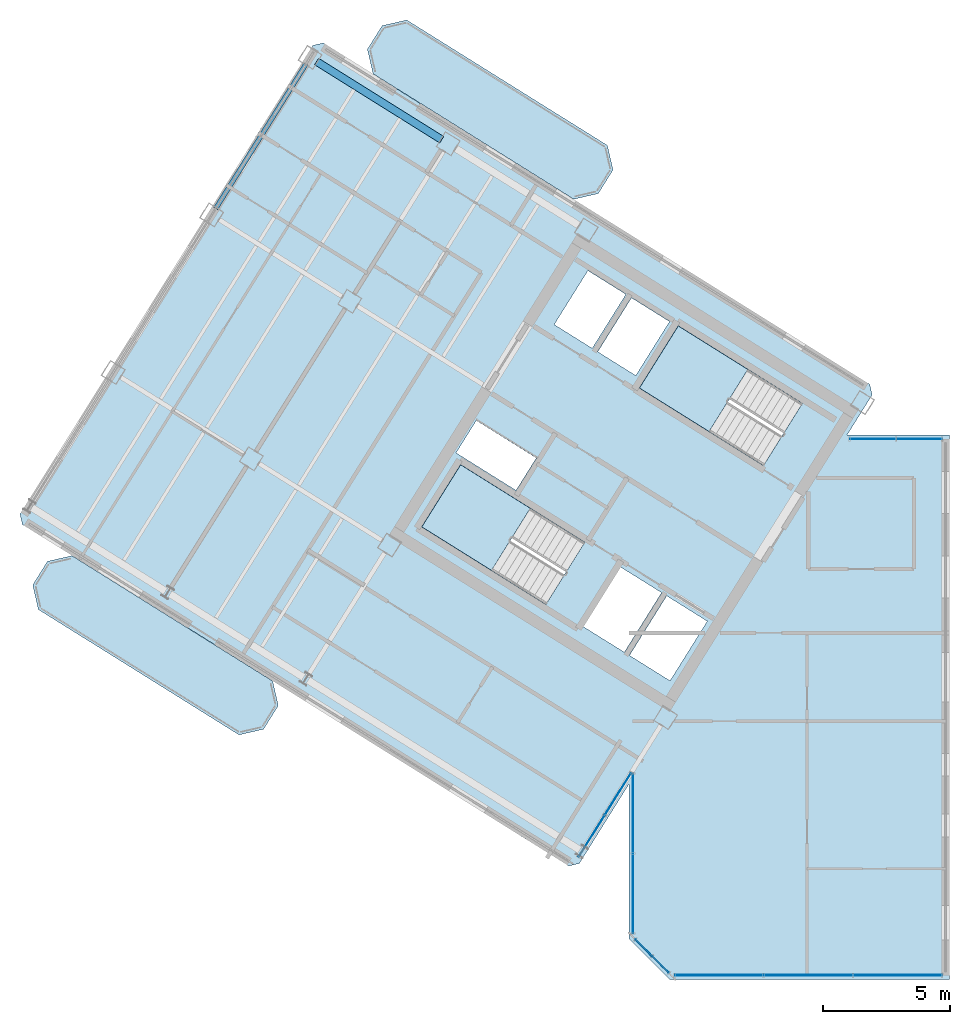
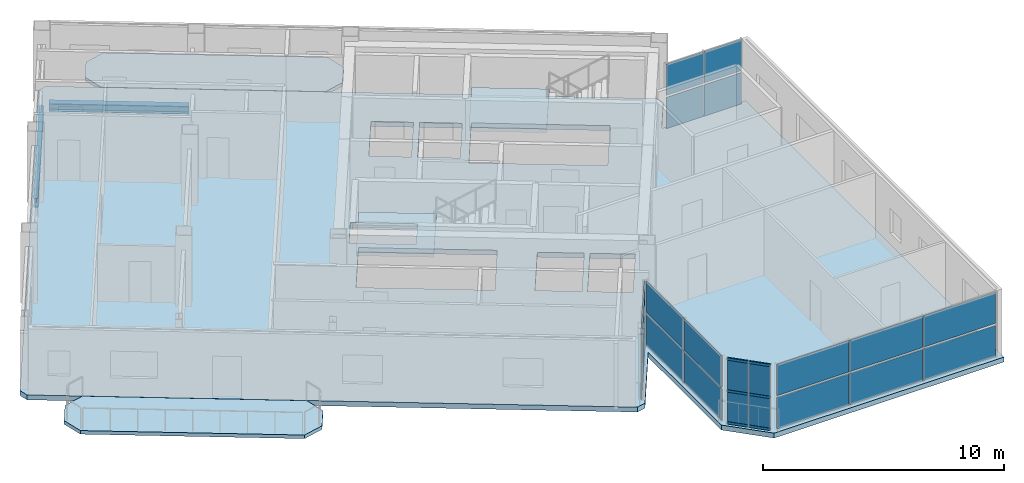
# One storey, part 6 of 14: 22 plates, 6 members, 5 slabs, 2 beams, 7 elements without a shape of their own.
"""IFC4 building model written with IfcOpenShell, lengths in metres."""

from ifc_helpers import new_model, si_unit, direction, frame, origin, origin_2d, place, context, subcontext, project, spatial, polyline, rectangle, hollow_rectangle, i_section, outline, extrude, source, transform, mapped, material, layer, layer_set, material_profile, profile_set, type_object, element, aggregate, save


model = new_model("IFC4")

# Units and contexts
model_context = context("Model", 3, precision=1e-05, world=origin(), true_north=direction((0.0, 1.0)))
body_context = subcontext(model_context, "Body", "Model", "MODEL_VIEW")
ifc_project = project(units=[si_unit("LENGTHUNIT", "METRE"), si_unit("AREAUNIT", "SQUARE_METRE"), si_unit("VOLUMEUNIT", "CUBIC_METRE"), si_unit("PLANEANGLEUNIT", "RADIAN"), si_unit("MASSUNIT", "GRAM", prefix="KILO")], contexts=[model_context])

# Site, building, storey
site_placement = place(None, origin())
site = spatial("IfcSite", under=ifc_project, at=site_placement, CompositionType="ELEMENT")
building_placement = place(site_placement, origin())
building = spatial("IfcBuilding", under=site, at=building_placement, Name="Tlacorven Tower", CompositionType="ELEMENT")
storey_placement = place(building_placement, frame((0.0, 0.0, 284.39990234375)))
storey = spatial("IfcBuildingStorey", under=building, at=storey_placement, Name="L72", CompositionType="ELEMENT", Elevation=284.39990234375)

# Beams
ifc_material_1 = material(Name="Steel S355J2", Category="steel")
ifc_material_profile_1 = material_profile(ifc_material_1, i_section(OverallWidth=0.300048828125, OverallDepth=0.389892578125, WebThickness=0.010986328125, FlangeThickness=0.01904296875, at=origin_2d()), Name="HEA 400")
ifc_profile_set_1 = profile_set([ifc_material_profile_1], Name="Steel S355J2")
beam_type_1 = type_object("IfcBeamType", Name="BM-SPN-400", PredefinedType="SPANDREL", material=ifc_profile_set_1)
shared_shape_1 = source(origin(), body_context, "Body", "SweptSolid", [
    extrude(i_section(OverallWidth=0.300048828125, OverallDepth=0.389892578125, WebThickness=0.010986328125, FlangeThickness=0.01904296875, at=origin_2d()), origin(), (0.0, 0.0, 1.0), 5.800048828125),
])
beam_1_placement = place(storey_placement, frame((24.24609375, 34.8017578125, -0.44482421875), z_axis=(-0.848052689693, 0.529911912967, 0.0), x_axis=(-0.529911912967, -0.848052689693, 0.0)))
element("IfcBeam", 1, at=beam_1_placement, inside=storey, type_object=beam_type_1, Name="L72 beam BM-L72-WL1-4", PredefinedType="SPANDREL", context=body_context, shape_type="MappedRepresentation", body=[
    mapped(shared_shape_1, transform((0.0, 0.0, 0.0), scale=1.0)),
])
ifc_material_profile_2 = material_profile(ifc_material_1, i_section(OverallWidth=0.18994140625, OverallDepth=0.449951171875, WebThickness=0.009521484375, FlangeThickness=0.0146484375, at=origin_2d()), Name="IPE 450")
ifc_profile_set_2 = profile_set([ifc_material_profile_2], Name="Steel S355J2")
beam_type_2 = type_object("IfcBeamType", Name="BM-TWR-450", PredefinedType="BEAM", material=ifc_profile_set_2)
shared_shape_2 = source(origin(), body_context, "Body", "SweptSolid", [
    extrude(i_section(OverallWidth=0.18994140625, OverallDepth=0.449951171875, WebThickness=0.009521484375, FlangeThickness=0.0146484375, at=origin_2d()), origin(), (0.0, 0.0, 1.0), 6.7001953125),
])
beam_2_placement = place(storey_placement, frame((18.9140625, 37.780029296875, -0.474853515625), z_axis=(-0.52991377951, -0.848051523367, 0.0), x_axis=(0.848051523367, -0.52991377951, 0.0)))
element("IfcBeam", 2, at=beam_2_placement, inside=storey, type_object=beam_type_2, Name="L72 beam BM-L72-WT5-1", PredefinedType="BEAM", context=body_context, shape_type="MappedRepresentation", body=[
    mapped(shared_shape_2, transform((0.0, 0.0, 0.0), scale=1.0)),
])

# Curtain wall, members
ifc_material_2 = material(Name="Dark solar low-E double glazing in aluminium frame", Category="aluminium")
curtain_wall_type = type_object("IfcCurtainWallType", Name="CW-TWR-HIGH", PredefinedType="USERDEFINED", material=ifc_material_2)
curtain_wall_1_placement = place(storey_placement, origin())
curtain_wall_1 = element("IfcCurtainWall", 3, at=curtain_wall_1_placement, inside=storey, type_object=curtain_wall_type, Name="L72 CW-TWR-HIGH Curtain Wall 335", ObjectType="UNITISED CURTAIN WALL", PredefinedType="USERDEFINED")
ifc_material_3 = material(Name="Aluminium 6063-T6 anodised", Category="aluminium")
ifc_material_profile_3 = material_profile(ifc_material_3, hollow_rectangle(XDim=0.054931640625, YDim=0.1201171875, WallThickness=0.00341796875, at=origin_2d()), Name="ALU TRANSOM 55X120")
ifc_profile_set_3 = profile_set([ifc_material_profile_3], Name="Aluminium 6063-T6 anodised")
member_type = type_object("IfcMemberType", Name="CWT-03", PredefinedType="USERDEFINED", material=ifc_profile_set_3)
shared_shape_3 = source(origin(), body_context, "Body", "SweptSolid", [
    extrude(hollow_rectangle(XDim=0.054931640625, YDim=0.1201171875, WallThickness=0.00341796875, at=origin_2d()), origin(), (0.0, 0.0, 1.0), 0.899169921875),
])
member_1_placement = place(storey_placement, frame((33.16162109375, 2.064697265625, 0.06005859375), z_axis=(-0.707106781187, 0.707106781187, 0.0), x_axis=(-0.707106781187, -0.707106781187, 0.0)))
member_1 = element("IfcMember", 4, at=member_1_placement, type_object=member_type, Name="CW-L72-335 Transom 1", ObjectType="TRANSOM", PredefinedType="USERDEFINED", context=body_context, shape_type="MappedRepresentation", body=[
    mapped(shared_shape_3, transform((0.0, 0.0, 0.0), scale=1.0)),
])
member_2_placement = place(storey_placement, frame((33.16162109375, 2.064697265625, 1.675048828125), z_axis=(-0.707106781187, 0.707106781187, 0.0), x_axis=(-0.707106781187, -0.707106781187, 0.0)))
member_2 = element("IfcMember", 5, at=member_2_placement, type_object=member_type, Name="CW-L72-335 Transom 2", ObjectType="TRANSOM", PredefinedType="USERDEFINED", context=body_context, shape_type="MappedRepresentation", body=[
    mapped(shared_shape_3, transform((0.0, 0.0, 0.0), scale=1.0)),
])
member_3_placement = place(storey_placement, frame((33.16162109375, 2.064697265625, 3.2900390625), z_axis=(-0.707106781187, 0.707106781187, 0.0), x_axis=(-0.707106781187, -0.707106781187, 0.0)))
member_3 = element("IfcMember", 6, at=member_3_placement, type_object=member_type, Name="CW-L72-335 Transom 3", ObjectType="TRANSOM", PredefinedType="USERDEFINED", context=body_context, shape_type="MappedRepresentation", body=[
    mapped(shared_shape_3, transform((0.0, 0.0, 0.0), scale=1.0)),
])
member_4_placement = place(storey_placement, frame((32.50048828125, 2.725830078125, 0.06005859375), z_axis=(-0.707106781187, 0.707106781187, 0.0), x_axis=(-0.707106781187, -0.707106781187, 0.0)))
member_4 = element("IfcMember", 7, at=member_4_placement, type_object=member_type, Name="CW-L72-335 Transom 4", ObjectType="TRANSOM", PredefinedType="USERDEFINED", context=body_context, shape_type="MappedRepresentation", body=[
    mapped(shared_shape_3, transform((0.0, 0.0, 0.0), scale=1.0)),
])
member_5_placement = place(storey_placement, frame((32.50048828125, 2.725830078125, 1.675048828125), z_axis=(-0.707106781187, 0.707106781187, 0.0), x_axis=(-0.707106781187, -0.707106781187, 0.0)))
member_5 = element("IfcMember", 8, at=member_5_placement, type_object=member_type, Name="CW-L72-335 Transom 5", ObjectType="TRANSOM", PredefinedType="USERDEFINED", context=body_context, shape_type="MappedRepresentation", body=[
    mapped(shared_shape_3, transform((0.0, 0.0, 0.0), scale=1.0)),
])
member_6_placement = place(storey_placement, frame((32.50048828125, 2.725830078125, 3.2900390625), z_axis=(-0.707106781187, 0.707106781187, 0.0), x_axis=(-0.707106781187, -0.707106781187, 0.0)))
member_6 = element("IfcMember", 9, at=member_6_placement, type_object=member_type, Name="CW-L72-335 Transom 6", ObjectType="TRANSOM", PredefinedType="USERDEFINED", context=body_context, shape_type="MappedRepresentation", body=[
    mapped(shared_shape_3, transform((0.0, 0.0, 0.0), scale=1.0)),
])

# Slabs
ifc_material_4 = material(Name="Precast concrete C45/55", Category="concrete")
ifc_layer_1 = layer(ifc_material_4, 0.179931640625)
ifc_layer_set_1 = layer_set([ifc_layer_1], Name="Precast concrete C45/55")
slab_type_1 = type_object("IfcSlabType", Name="SL-BAL-180", PredefinedType="USERDEFINED", material=ifc_layer_set_1)
slab_1_placement = place(storey_placement, frame((0.0, 0.0, -0.179931640625)))
element("IfcSlab", 10, at=slab_1_placement, inside=storey, type_object=slab_type_1, Name="L72 West Wing Balcony Ribbon OUT", ObjectType="BALCONY SLAB", PredefinedType="USERDEFINED", context=body_context, shape_type="SweptSolid", body=[
    extrude(outline(polyline([(17.601318359375, 13.52490234375), (9.71435546875, 18.453125), (8.749755859375, 18.23046875), (8.169677734375, 17.3017578125), (8.392333984375, 16.33740234375), (16.279052734375, 11.408935546875), (17.24365234375, 11.6318359375), (17.823974609375, 12.560302734375), (17.601318359375, 13.52490234375)])), origin(), (0.0, 0.0, 1.0), 0.179931640625),
])
slab_2_placement = place(storey_placement, frame((0.0, 0.0, -0.179931640625)))
element("IfcSlab", 11, at=slab_2_placement, inside=storey, type_object=slab_type_1, Name="L72 West Wing Balcony Ribbon IN", ObjectType="BALCONY SLAB", PredefinedType="USERDEFINED", context=body_context, shape_type="SweptSolid", body=[
    extrude(outline(polyline([(30.756591796875, 34.57763671875), (22.86962890625, 39.505859375), (21.905029296875, 39.283203125), (21.324951171875, 38.354736328125), (21.547607421875, 37.39013671875), (29.434326171875, 32.4619140625), (30.39892578125, 32.6845703125), (30.979248046875, 33.613037109375), (30.756591796875, 34.57763671875)])), origin(), (0.0, 0.0, 1.0), 0.179931640625),
])

# Stair, slab
ifc_material_5 = material(Name="Concrete C40/50", Category="concrete")
stair_type = type_object("IfcStairType", Name="ST-CORE-DLG", PredefinedType="HALF_TURN_STAIR", material=ifc_material_5)
stair_1_placement = place(storey_placement, origin())
stair_1 = element("IfcStair", 12, at=stair_1_placement, inside=storey, type_object=stair_type, Name="L72 Protected Exit Stair West 1", PredefinedType="HALF_TURN_STAIR")
ifc_layer_2 = layer(ifc_material_5, 0.199951171875)
ifc_layer_set_2 = layer_set([ifc_layer_2], Name="Concrete C40/50")
slab_type_2 = type_object("IfcSlabType", Name="SL-LND-200", PredefinedType="LANDING", material=ifc_layer_set_2)
slab_3_placement = place(storey_placement, frame((0.0, 0.0, 1.60009765625)))
slab_3 = element("IfcSlab", 13, at=slab_3_placement, type_object=slab_type_2, Name="ST-W1 landing 1", PredefinedType="LANDING", context=body_context, shape_type="SweptSolid", body=[
    extrude(outline(polyline([(27.728515625, 20.315185546875), (24.9892578125, 22.02685546875), (23.463134765625, 19.58447265625), (26.2021484375, 17.872802734375), (27.728515625, 20.315185546875)])), origin(), (0.0, 0.0, 1.0), 0.199951171875),
])
aggregate(stair_1, [slab_3])

stair_2_placement = place(storey_placement, origin())
stair_2 = element("IfcStair", 14, at=stair_2_placement, inside=storey, type_object=stair_type, Name="L72 Protected Exit Stair West 2", PredefinedType="HALF_TURN_STAIR")
slab_4_placement = place(storey_placement, frame((0.0, 0.0, 1.60009765625)))
slab_4 = element("IfcSlab", 15, at=slab_4_placement, type_object=slab_type_2, Name="ST-W2 landing 1", PredefinedType="LANDING", context=body_context, shape_type="SweptSolid", body=[
    extrude(outline(polyline([(36.280029296875, 25.772705078125), (33.540771484375, 27.484375), (32.0146484375, 25.0419921875), (34.75390625, 23.33056640625), (36.280029296875, 25.772705078125)])), origin(), (0.0, 0.0, 1.0), 0.199951171875),
])
aggregate(stair_2, [slab_4])

# Slab
ifc_layer_3 = layer(ifc_material_5, 0.25)
ifc_layer_set_3 = layer_set([ifc_layer_3], Name="Concrete C40/50")
slab_type_3 = type_object("IfcSlabType", Name="SL-TWR-250", PredefinedType="FLOOR", material=ifc_layer_set_3)
slab_5_placement = place(storey_placement, frame((0.0, 0.0, -0.25)))
element("IfcSlab", 16, at=slab_5_placement, inside=storey, type_object=slab_type_3, Name="L72 Boomerang Tower Floor Slab", PredefinedType="FLOOR", context=body_context, shape_type="SweptSolid", body=[
    extrude(outline(polyline([(44.199951171875, 23.199951171875), (44.199951171875, 1.800048828125), (33.199951171875, 1.800048828125), (31.60009765625, 3.39990234375), (31.60009765625, 9.470703125), (29.652587890625, 6.35400390625), (29.2392578125, 6.258544921875), (7.7666015625, 19.67626953125), (7.671142578125, 20.089599609375), (19.180908203125, 38.50927734375), (19.594482421875, 38.604736328125), (41.06689453125, 25.18701171875), (41.162353515625, 24.773681640625), (40.178955078125, 23.199951171875), (44.199951171875, 23.199951171875)]), holes=[polyline([(29.865478515625, 18.979736328125), (24.9892578125, 22.02685546875), (23.463134765625, 19.58447265625), (28.33935546875, 16.537353515625), (29.865478515625, 18.979736328125)]), polyline([(38.4169921875, 24.4375), (33.540771484375, 27.484375), (32.0146484375, 25.0419921875), (36.890869140625, 21.9951171875), (38.4169921875, 24.4375)]), polyline([(34.682373046875, 15.87548828125), (33.088134765625, 16.871826171875), (31.62548828125, 14.531005859375), (33.2197265625, 13.534912109375), (34.682373046875, 15.87548828125)]), polyline([(32.884521484375, 16.9990234375), (31.2392578125, 18.02685546875), (29.77685546875, 15.686279296875), (31.421875, 14.658203125), (32.884521484375, 16.9990234375)]), polyline([(33.197265625, 27.65185546875), (31.704833984375, 28.58447265625), (30.3798828125, 26.46435546875), (31.87255859375, 25.53173828125), (33.197265625, 27.65185546875)]), polyline([(31.484375, 28.722412109375), (29.99169921875, 29.655029296875), (28.6669921875, 27.534912109375), (30.159423828125, 26.602294921875), (31.484375, 28.722412109375)]), polyline([(27.96142578125, 22.2919921875), (25.603759765625, 23.76513671875), (24.80908203125, 22.4931640625), (27.16650390625, 21.02001953125), (27.96142578125, 22.2919921875)])]), origin(), (0.0, 0.0, 1.0), 0.25),
])

# Plate
ifc_material_6 = material(Name="High-wind dark solar tempered low-E glazing", Category="glass")
ifc_layer_4 = layer(ifc_material_6, 0.028076171875)
ifc_layer_set_4 = layer_set([ifc_layer_4], Name="High-wind dark solar tempered low-E glazing")
plate_type = type_object("IfcPlateType", Name="CWP-03", PredefinedType="CURTAIN_PANEL", material=ifc_layer_set_4)
shared_shape_4 = source(origin(), body_context, "Body", "SweptSolid", [
    extrude(rectangle(XDim=0.89306640625, YDim=0.028076171875, at=origin_2d()), origin(), (0.0, 0.0, 1.0), 1.572998046875),
])
plate_1_placement = place(storey_placement, frame((32.84375, 2.382568359375, 0.05126953125), z_axis=(0.0, 0.0, 1.0), x_axis=(-0.707106781187, 0.707106781187, 0.0)))
plate_1 = element("IfcPlate", 17, at=plate_1_placement, type_object=plate_type, Name="CW-L72-335 Glazing Panel 1", PredefinedType="CURTAIN_PANEL", context=body_context, shape_type="MappedRepresentation", body=[
    mapped(shared_shape_4, transform((0.0, 0.0, 0.0), scale=1.0)),
])

plate_2_placement = place(storey_placement, frame((32.84375, 2.382568359375, 1.72607421875), z_axis=(0.0, 0.0, 1.0), x_axis=(-0.707106781187, 0.707106781187, 0.0)))
plate_2 = element("IfcPlate", 18, at=plate_2_placement, type_object=plate_type, Name="CW-L72-335 Glazing Panel 2", PredefinedType="CURTAIN_PANEL", context=body_context, shape_type="MappedRepresentation", body=[
    mapped(shared_shape_4, transform((0.0, 0.0, 0.0), scale=1.0)),
])

plate_3_placement = place(storey_placement, frame((32.1826171875, 3.043701171875, 0.05126953125), z_axis=(0.0, 0.0, 1.0), x_axis=(-0.707106781187, 0.707106781187, 0.0)))
plate_3 = element("IfcPlate", 19, at=plate_3_placement, type_object=plate_type, Name="CW-L72-335 Glazing Panel 3", PredefinedType="CURTAIN_PANEL", context=body_context, shape_type="MappedRepresentation", body=[
    mapped(shared_shape_4, transform((0.0, 0.0, 0.0), scale=1.0)),
])

plate_4_placement = place(storey_placement, frame((32.1826171875, 3.043701171875, 1.72607421875), z_axis=(0.0, 0.0, 1.0), x_axis=(-0.707106781187, 0.707106781187, 0.0)))
plate_4 = element("IfcPlate", 20, at=plate_4_placement, type_object=plate_type, Name="CW-L72-335 Glazing Panel 4", PredefinedType="CURTAIN_PANEL", context=body_context, shape_type="MappedRepresentation", body=[
    mapped(shared_shape_4, transform((0.0, 0.0, 0.0), scale=1.0)),
])

aggregate(curtain_wall_1, [member_1, member_2, member_3, plate_1, plate_2, member_4, member_5, member_6, plate_3, plate_4])

# Curtain wall, plates
curtain_wall_2_placement = place(storey_placement, origin())
curtain_wall_2 = element("IfcCurtainWall", 21, at=curtain_wall_2_placement, inside=storey, type_object=curtain_wall_type, Name="L72 CW-TWR-HIGH Curtain Wall 336", ObjectType="UNITISED CURTAIN WALL", PredefinedType="USERDEFINED")
shared_shape_5 = source(origin(), body_context, "Body", "SweptSolid", [
    extrude(rectangle(XDim=3.109130859375, YDim=0.028076171875, at=origin_2d()), origin(), (0.0, 0.0, 1.0), 1.572998046875),
])
plate_5_placement = place(storey_placement, frame((31.760009765625, 5.171875, 0.05126953125), z_axis=(0.0, 0.0, 1.0), x_axis=(0.0, 1.0, 0.0)))
plate_5 = element("IfcPlate", 22, at=plate_5_placement, type_object=plate_type, Name="CW-L72-336 Glazing Panel 1", PredefinedType="CURTAIN_PANEL", context=body_context, shape_type="MappedRepresentation", body=[
    mapped(shared_shape_5, transform((0.0, 0.0, 0.0), scale=1.0)),
])
plate_6_placement = place(storey_placement, frame((31.760009765625, 5.171875, 1.72607421875), z_axis=(0.0, 0.0, 1.0), x_axis=(0.0, 1.0, 0.0)))
plate_6 = element("IfcPlate", 23, at=plate_6_placement, type_object=plate_type, Name="CW-L72-336 Glazing Panel 2", PredefinedType="CURTAIN_PANEL", context=body_context, shape_type="MappedRepresentation", body=[
    mapped(shared_shape_5, transform((0.0, 0.0, 0.0), scale=1.0)),
])
plate_7_placement = place(storey_placement, frame((31.760009765625, 8.322998046875, 0.05126953125), z_axis=(0.0, 0.0, 1.0), x_axis=(0.0, 1.0, 0.0)))
plate_7 = element("IfcPlate", 24, at=plate_7_placement, type_object=plate_type, Name="CW-L72-336 Glazing Panel 3", PredefinedType="CURTAIN_PANEL", context=body_context, shape_type="MappedRepresentation", body=[
    mapped(shared_shape_5, transform((0.0, 0.0, 0.0), scale=1.0)),
])
plate_8_placement = place(storey_placement, frame((31.760009765625, 8.322998046875, 1.72607421875), z_axis=(0.0, 0.0, 1.0), x_axis=(0.0, 1.0, 0.0)))
plate_8 = element("IfcPlate", 25, at=plate_8_placement, type_object=plate_type, Name="CW-L72-336 Glazing Panel 4", PredefinedType="CURTAIN_PANEL", context=body_context, shape_type="MappedRepresentation", body=[
    mapped(shared_shape_5, transform((0.0, 0.0, 0.0), scale=1.0)),
])
aggregate(curtain_wall_2, [plate_5, plate_6, plate_7, plate_8])

curtain_wall_3_placement = place(storey_placement, origin())
curtain_wall_3 = element("IfcCurtainWall", 26, at=curtain_wall_3_placement, inside=storey, type_object=curtain_wall_type, Name="L72 CW-TWR-HIGH Curtain Wall 337", ObjectType="UNITISED CURTAIN WALL", PredefinedType="USERDEFINED")
shared_shape_6 = source(origin(), body_context, "Body", "SweptSolid", [
    extrude(rectangle(XDim=1.911376953125, YDim=0.028076171875, at=origin_2d()), origin(), (0.0, 0.0, 1.0), 1.572998046875),
])
plate_9_placement = place(storey_placement, frame((31.173583984375, 9.090087890625, 0.05126953125), z_axis=(0.0, 0.0, 1.0), x_axis=(-0.529918710919, -0.848048441905, 0.0)))
plate_9 = element("IfcPlate", 27, at=plate_9_placement, type_object=plate_type, Name="CW-L72-337 Glazing Panel 1", PredefinedType="CURTAIN_PANEL", context=body_context, shape_type="MappedRepresentation", body=[
    mapped(shared_shape_6, transform((0.0, 0.0, 0.0), scale=1.0)),
])
plate_10_placement = place(storey_placement, frame((31.173583984375, 9.090087890625, 1.72607421875), z_axis=(0.0, 0.0, 1.0), x_axis=(-0.529918710919, -0.848048441905, 0.0)))
plate_10 = element("IfcPlate", 28, at=plate_10_placement, type_object=plate_type, Name="CW-L72-337 Glazing Panel 2", PredefinedType="CURTAIN_PANEL", context=body_context, shape_type="MappedRepresentation", body=[
    mapped(shared_shape_6, transform((0.0, 0.0, 0.0), scale=1.0)),
])
plate_11_placement = place(storey_placement, frame((30.138427734375, 7.43359375, 0.05126953125), z_axis=(0.0, 0.0, 1.0), x_axis=(-0.529918710919, -0.848048441905, 0.0)))
plate_11 = element("IfcPlate", 29, at=plate_11_placement, type_object=plate_type, Name="CW-L72-337 Glazing Panel 3", PredefinedType="CURTAIN_PANEL", context=body_context, shape_type="MappedRepresentation", body=[
    mapped(shared_shape_6, transform((0.0, 0.0, 0.0), scale=1.0)),
])
plate_12_placement = place(storey_placement, frame((30.138427734375, 7.43359375, 1.72607421875), z_axis=(0.0, 0.0, 1.0), x_axis=(-0.529918710919, -0.848048441905, 0.0)))
plate_12 = element("IfcPlate", 30, at=plate_12_placement, type_object=plate_type, Name="CW-L72-337 Glazing Panel 4", PredefinedType="CURTAIN_PANEL", context=body_context, shape_type="MappedRepresentation", body=[
    mapped(shared_shape_6, transform((0.0, 0.0, 0.0), scale=1.0)),
])
aggregate(curtain_wall_3, [plate_9, plate_10, plate_11, plate_12])

curtain_wall_4_placement = place(storey_placement, origin())
curtain_wall_4 = element("IfcCurtainWall", 31, at=curtain_wall_4_placement, inside=storey, type_object=curtain_wall_type, Name="L72 CW-TWR-HIGH Curtain Wall 338", ObjectType="UNITISED CURTAIN WALL", PredefinedType="USERDEFINED")
shared_shape_7 = source(origin(), body_context, "Body", "SweptSolid", [
    extrude(rectangle(XDim=1.776123046875, YDim=0.028076171875, at=origin_2d()), origin(), (0.0, 0.0, 1.0), 1.572998046875),
])
plate_13_placement = place(storey_placement, frame((41.182861328125, 23.0400390625, 0.05126953125), z_axis=(0.0, 0.0, 1.0), x_axis=(1.0, 0.0, 0.0)))
plate_13 = element("IfcPlate", 32, at=plate_13_placement, type_object=plate_type, Name="CW-L72-338 Glazing Panel 1", PredefinedType="CURTAIN_PANEL", context=body_context, shape_type="MappedRepresentation", body=[
    mapped(shared_shape_7, transform((0.0, 0.0, 0.0), scale=1.0)),
])
plate_14_placement = place(storey_placement, frame((41.182861328125, 23.0400390625, 1.72607421875), z_axis=(0.0, 0.0, 1.0), x_axis=(1.0, 0.0, 0.0)))
plate_14 = element("IfcPlate", 33, at=plate_14_placement, type_object=plate_type, Name="CW-L72-338 Glazing Panel 2", PredefinedType="CURTAIN_PANEL", context=body_context, shape_type="MappedRepresentation", body=[
    mapped(shared_shape_7, transform((0.0, 0.0, 0.0), scale=1.0)),
])
plate_15_placement = place(storey_placement, frame((43.0009765625, 23.0400390625, 0.05126953125), z_axis=(0.0, 0.0, 1.0), x_axis=(1.0, 0.0, 0.0)))
plate_15 = element("IfcPlate", 34, at=plate_15_placement, type_object=plate_type, Name="CW-L72-338 Glazing Panel 3", PredefinedType="CURTAIN_PANEL", context=body_context, shape_type="MappedRepresentation", body=[
    mapped(shared_shape_7, transform((0.0, 0.0, 0.0), scale=1.0)),
])
plate_16_placement = place(storey_placement, frame((43.0009765625, 23.0400390625, 1.72607421875), z_axis=(0.0, 0.0, 1.0), x_axis=(1.0, 0.0, 0.0)))
plate_16 = element("IfcPlate", 35, at=plate_16_placement, type_object=plate_type, Name="CW-L72-338 Glazing Panel 4", PredefinedType="CURTAIN_PANEL", context=body_context, shape_type="MappedRepresentation", body=[
    mapped(shared_shape_7, transform((0.0, 0.0, 0.0), scale=1.0)),
])
aggregate(curtain_wall_4, [plate_13, plate_14, plate_15, plate_16])

curtain_wall_5_placement = place(storey_placement, origin())
curtain_wall_5 = element("IfcCurtainWall", 36, at=curtain_wall_5_placement, inside=storey, type_object=curtain_wall_type, Name="L72 CW-TWR-HIGH Curtain Wall 334", ObjectType="UNITISED CURTAIN WALL", PredefinedType="USERDEFINED")
shared_shape_8 = source(origin(), body_context, "Body", "SweptSolid", [
    extrude(rectangle(XDim=3.45263671875, YDim=0.028076171875, at=origin_2d()), origin(), (0.0, 0.0, 1.0), 1.572998046875),
])
plate_17_placement = place(storey_placement, frame((42.16259765625, 1.9599609375, 0.05126953125), z_axis=(0.0, 0.0, 1.0), x_axis=(-1.0, 0.0, 0.0)))
plate_17 = element("IfcPlate", 37, at=plate_17_placement, type_object=plate_type, Name="CW-L72-334 Glazing Panel 1", PredefinedType="CURTAIN_PANEL", context=body_context, shape_type="MappedRepresentation", body=[
    mapped(shared_shape_8, transform((0.0, 0.0, 0.0), scale=1.0)),
])
plate_18_placement = place(storey_placement, frame((42.16259765625, 1.9599609375, 1.72607421875), z_axis=(0.0, 0.0, 1.0), x_axis=(-1.0, 0.0, 0.0)))
plate_18 = element("IfcPlate", 38, at=plate_18_placement, type_object=plate_type, Name="CW-L72-334 Glazing Panel 2", PredefinedType="CURTAIN_PANEL", context=body_context, shape_type="MappedRepresentation", body=[
    mapped(shared_shape_8, transform((0.0, 0.0, 0.0), scale=1.0)),
])
plate_19_placement = place(storey_placement, frame((35.1435546875, 1.9599609375, 0.05126953125), z_axis=(0.0, 0.0, 1.0), x_axis=(-1.0, 0.0, 0.0)))
plate_19 = element("IfcPlate", 39, at=plate_19_placement, type_object=plate_type, Name="CW-L72-334 Glazing Panel 5", PredefinedType="CURTAIN_PANEL", context=body_context, shape_type="MappedRepresentation", body=[
    mapped(shared_shape_8, transform((0.0, 0.0, 0.0), scale=1.0)),
])
plate_20_placement = place(storey_placement, frame((35.1435546875, 1.9599609375, 1.72607421875), z_axis=(0.0, 0.0, 1.0), x_axis=(-1.0, 0.0, 0.0)))
plate_20 = element("IfcPlate", 40, at=plate_20_placement, type_object=plate_type, Name="CW-L72-334 Glazing Panel 6", PredefinedType="CURTAIN_PANEL", context=body_context, shape_type="MappedRepresentation", body=[
    mapped(shared_shape_8, transform((0.0, 0.0, 0.0), scale=1.0)),
])
shared_shape_9 = source(origin(), body_context, "Body", "SweptSolid", [
    extrude(rectangle(XDim=3.482666015625, YDim=0.028076171875, at=origin_2d()), origin(), (0.0, 0.0, 1.0), 1.572998046875),
])
plate_21_placement = place(storey_placement, frame((38.653076171875, 1.9599609375, 0.05126953125), z_axis=(0.0, 0.0, 1.0), x_axis=(-1.0, 0.0, 0.0)))
plate_21 = element("IfcPlate", 41, at=plate_21_placement, type_object=plate_type, Name="CW-L72-334 Glazing Panel 3", PredefinedType="CURTAIN_PANEL", context=body_context, shape_type="MappedRepresentation", body=[
    mapped(shared_shape_9, transform((0.0, 0.0, 0.0), scale=1.0)),
])
plate_22_placement = place(storey_placement, frame((38.653076171875, 1.9599609375, 1.72607421875), z_axis=(0.0, 0.0, 1.0), x_axis=(-1.0, 0.0, 0.0)))
plate_22 = element("IfcPlate", 42, at=plate_22_placement, type_object=plate_type, Name="CW-L72-334 Glazing Panel 4", PredefinedType="CURTAIN_PANEL", context=body_context, shape_type="MappedRepresentation", body=[
    mapped(shared_shape_9, transform((0.0, 0.0, 0.0), scale=1.0)),
])
aggregate(curtain_wall_5, [plate_17, plate_18, plate_21, plate_22, plate_19, plate_20])

save(model, "model.ifc")
